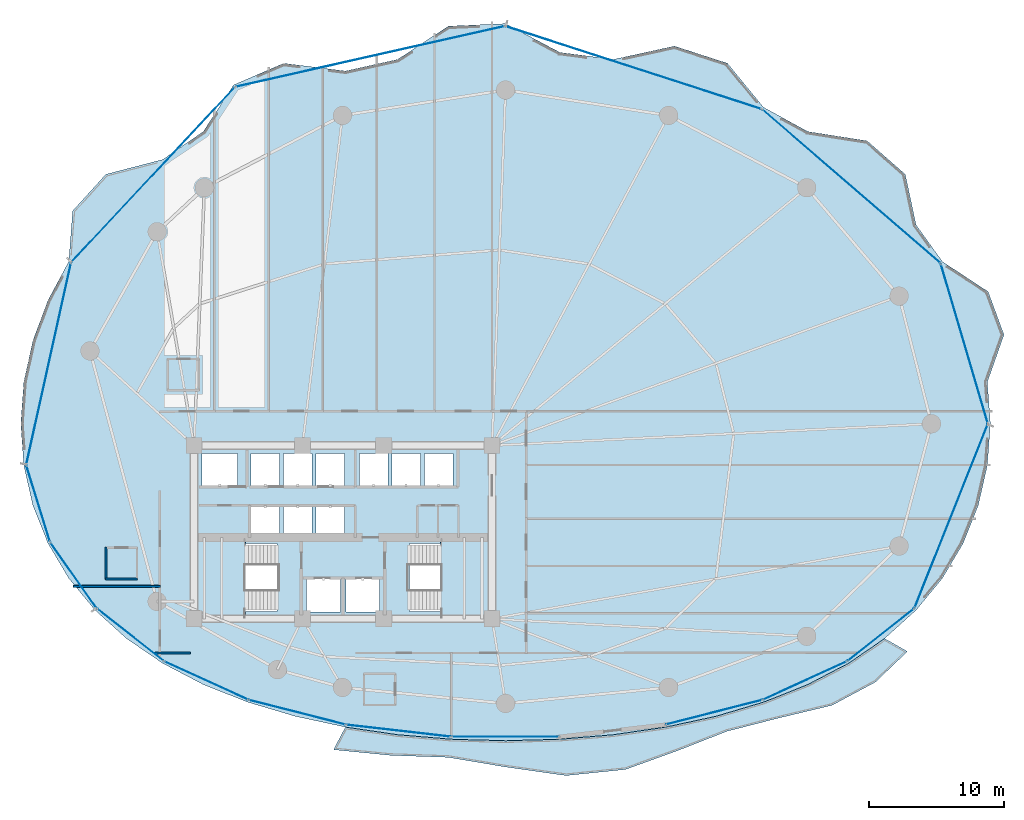
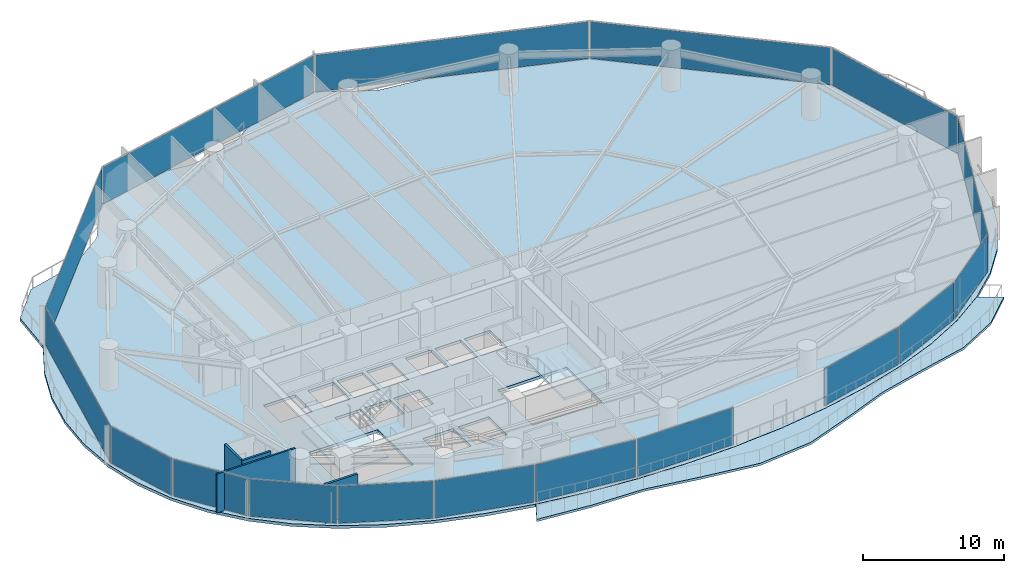
# One storey, part 25 of 33: 17 plates, 4 slabs, 4 walls, 19 elements without a shape of their own.
"""IFC4 building model written with IfcOpenShell, lengths in metres."""

from ifc_helpers import new_model, si_unit, direction, frame, frame_2d, origin, origin_2d, place, context, subcontext, project, spatial, polyline, rectangle, outline, extrude, material, layer, layer_set, type_object, element, aggregate, save


model = new_model("IFC4")

# Units and contexts
model_context = context("Model", 3, precision=1e-05, world=origin(), true_north=direction((0.0, 1.0)))
body_context = subcontext(model_context, "Body", "Model", "MODEL_VIEW")
ifc_project = project(units=[si_unit("LENGTHUNIT", "METRE"), si_unit("AREAUNIT", "SQUARE_METRE"), si_unit("VOLUMEUNIT", "CUBIC_METRE"), si_unit("PLANEANGLEUNIT", "RADIAN"), si_unit("MASSUNIT", "GRAM", prefix="KILO")], contexts=[model_context])

# Site, building, storey
site_placement = place(None, origin())
site = spatial("IfcSite", under=ifc_project, at=site_placement, CompositionType="ELEMENT")
building_placement = place(site_placement, origin())
building = spatial("IfcBuilding", under=site, at=building_placement, Name="Kazevale Care Tower and Concert Hall", CompositionType="ELEMENT")
storey_placement = place(building_placement, frame((0.0, 0.0, 31.199951171875)))
storey = spatial("IfcBuildingStorey", under=building, at=storey_placement, Name="L07", CompositionType="ELEMENT", Elevation=31.199951171875)

# Curtain wall, plate
ifc_material_1 = material(Name="Aluminium 6063-T6 and Low-E Glass", Category="aluminium")
ifc_layer_1 = layer(ifc_material_1, 0.179931640625)
ifc_layer_set_1 = layer_set([ifc_layer_1], Name="Aluminium 6063-T6 and Low-E Glass")
curtain_wall_type_1 = type_object("IfcCurtainWallType", Name="Convex Checkerboard Finned Curtain Wall CW-2", PredefinedType="NOTDEFINED", material=ifc_layer_set_1)
curtain_wall_1_placement = place(storey_placement, origin())
curtain_wall_1 = element("IfcCurtainWall", 1, at=curtain_wall_1_placement, inside=storey, type_object=curtain_wall_type_1, Name="cw:L07:f14", PredefinedType="NOTDEFINED")
ifc_material_2 = material(Name="Low-E Laminated Glass", Category="glass")
ifc_layer_2 = layer(ifc_material_2, 0.028076171875)
ifc_layer_set_2 = layer_set([ifc_layer_2], Name="Low-E Laminated Glass")
plate_type_1 = type_object("IfcPlateType", Name="CW-2 Low-E Glazing Panel 28mm", PredefinedType="CURTAIN_PANEL", material=ifc_layer_set_2)
plate_1_placement = place(storey_placement, frame((18.9794921875, 56.39990234375, 0.074951171875), z_axis=(0.0, 0.0, 1.0), x_axis=(0.683059159381, 0.730363049987, 0.0)))
plate_1 = element("IfcPlate", 2, at=plate_1_placement, type_object=plate_type_1, Name="CW-2 panel 1.1", PredefinedType="CURTAIN_PANEL", context=body_context, shape_type="SweptSolid", body=[
    extrude(rectangle(XDim=17.576416015625, YDim=0.028076171875, at=origin_2d()), origin(), (0.0, 0.0, 1.0), 3.2099609375),
])
aggregate(curtain_wall_1, [plate_1])

curtain_wall_2_placement = place(storey_placement, origin())
curtain_wall_2 = element("IfcCurtainWall", 3, at=curtain_wall_2_placement, inside=storey, type_object=curtain_wall_type_1, Name="cw:L07:f16", PredefinedType="NOTDEFINED")
plate_2_placement = place(storey_placement, frame((54.444580078125, 64.298095703125, 0.074951171875), z_axis=(0.0, 0.0, 1.0), x_axis=(0.951410385043, -0.307925769029, 0.0)))
plate_2 = element("IfcPlate", 4, at=plate_2_placement, type_object=plate_type_1, Name="CW-2 panel 1.1", PredefinedType="CURTAIN_PANEL", context=body_context, shape_type="SweptSolid", body=[
    extrude(rectangle(XDim=19.77978515625, YDim=0.028076171875, at=origin_2d()), origin(), (0.0, 0.0, 1.0), 3.2099609375),
])
aggregate(curtain_wall_2, [plate_2])

ifc_layer_3 = layer(ifc_material_1, 0.179931640625)
ifc_layer_set_3 = layer_set([ifc_layer_3], Name="Aluminium 6063-T6 and Low-E Glass")
curtain_wall_type_2 = type_object("IfcCurtainWallType", Name="Convex Recessed Sunroom Curtain Wall CW-3", PredefinedType="NOTDEFINED", material=ifc_layer_set_3)
curtain_wall_3_placement = place(storey_placement, origin())
curtain_wall_3 = element("IfcCurtainWall", 5, at=curtain_wall_3_placement, inside=storey, type_object=curtain_wall_type_2, Name="cw:L07:f15", PredefinedType="NOTDEFINED")
ifc_layer_4 = layer(ifc_material_2, 0.028076171875)
ifc_layer_set_4 = layer_set([ifc_layer_4], Name="Low-E Laminated Glass")
plate_type_2 = type_object("IfcPlateType", Name="CW-3 Low-E Glazing Panel 28mm", PredefinedType="CURTAIN_PANEL", material=ifc_layer_set_4)
plate_3_placement = place(storey_placement, frame((34.998046875, 65.12255859375, 0.074951171875), z_axis=(0.0, 0.0, 1.0), x_axis=(0.975520013596, 0.219910670667, 0.0)))
plate_3 = element("IfcPlate", 6, at=plate_3_placement, type_object=plate_type_2, Name="CW-3 panel 1.1", PredefinedType="CURTAIN_PANEL", context=body_context, shape_type="SweptSolid", body=[
    extrude(rectangle(XDim=20.27197265625, YDim=0.028076171875, at=origin_2d()), origin(), (0.0, 0.0, 1.0), 3.2099609375),
])
aggregate(curtain_wall_3, [plate_3])

curtain_wall_4_placement = place(storey_placement, origin())
curtain_wall_4 = element("IfcCurtainWall", 7, at=curtain_wall_4_placement, inside=storey, type_object=curtain_wall_type_2, Name="cw:L07:f17", PredefinedType="NOTDEFINED")
plate_4_placement = place(storey_placement, frame((70.529052734375, 55.535400390625, 0.074951171875), z_axis=(0.0, 0.0, 1.0), x_axis=(0.757199570248, -0.653183596561, 0.0)))
plate_4 = element("IfcPlate", 8, at=plate_4_placement, type_object=plate_type_2, Name="CW-3 panel 1.1", PredefinedType="CURTAIN_PANEL", context=body_context, shape_type="SweptSolid", body=[
    extrude(rectangle(XDim=17.280029296875, YDim=0.028076171875, at=origin_2d()), origin(), (0.0, 0.0, 1.0), 3.2099609375),
])
aggregate(curtain_wall_4, [plate_4])

ifc_layer_5 = layer(ifc_material_1, 0.179931640625)
ifc_layer_set_5 = layer_set([ifc_layer_5], Name="Aluminium 6063-T6 and Low-E Glass")
curtain_wall_type_3 = type_object("IfcCurtainWallType", Name="Waist & Upper Residential Curtain Wall CW-4", PredefinedType="NOTDEFINED", material=ifc_layer_set_5)
curtain_wall_5_placement = place(storey_placement, origin())
curtain_wall_5 = element("IfcCurtainWall", 9, at=curtain_wall_5_placement, inside=storey, type_object=curtain_wall_type_3, Name="cw:L07:f01", PredefinedType="NOTDEFINED")
ifc_layer_6 = layer(ifc_material_2, 0.030029296875)
ifc_layer_set_6 = layer_set([ifc_layer_6], Name="Low-E Laminated Glass")
plate_type_3 = type_object("IfcPlateType", Name="CW-4 Low-E Glazing Panel 30mm", PredefinedType="CURTAIN_PANEL", material=ifc_layer_set_6)
plate_5_placement = place(storey_placement, frame((77.90087890625, 31.181884765625, 0.080078125), z_axis=(0.0, 0.0, 1.0), x_axis=(-0.370427424456, -0.928861412274, 0.0)))
plate_5 = element("IfcPlate", 10, at=plate_5_placement, type_object=plate_type_3, Name="CW-4 panel 1.1", PredefinedType="CURTAIN_PANEL", context=body_context, shape_type="SweptSolid", body=[
    extrude(rectangle(XDim=14.520263671875, YDim=0.030029296875, at=origin_2d()), origin(), (0.0, 0.0, 1.0), 3.199951171875),
])
aggregate(curtain_wall_5, [plate_5])

curtain_wall_6_placement = place(storey_placement, origin())
curtain_wall_6 = element("IfcCurtainWall", 11, at=curtain_wall_6_placement, inside=storey, type_object=curtain_wall_type_3, Name="cw:L07:f11", PredefinedType="NOTDEFINED")
plate_6_placement = place(storey_placement, frame((13.094482421875, 26.81103515625, 0.080078125), z_axis=(0.0, 0.0, 1.0), x_axis=(-0.575836813322, 0.817564654583, 0.0)))
plate_6 = element("IfcPlate", 12, at=plate_6_placement, type_object=plate_type_3, Name="CW-4 panel 1.1", PredefinedType="CURTAIN_PANEL", context=body_context, shape_type="SweptSolid", body=[
    extrude(rectangle(XDim=5.826171875, YDim=0.030029296875, at=origin_2d()), origin(), (0.0, 0.0, 1.0), 3.199951171875),
])
aggregate(curtain_wall_6, [plate_6])

curtain_wall_7_placement = place(storey_placement, origin())
curtain_wall_7 = element("IfcCurtainWall", 13, at=curtain_wall_7_placement, inside=storey, type_object=curtain_wall_type_3, Name="cw:L07:f12", PredefinedType="NOTDEFINED")
plate_7_placement = place(storey_placement, frame((10.487548828125, 32.10791015625, 0.080078125), z_axis=(0.0, 0.0, 1.0), x_axis=(-0.296098771112, 0.955157326175, 0.0)))
plate_7 = element("IfcPlate", 14, at=plate_7_placement, type_object=plate_type_3, Name="CW-4 panel 1.1", PredefinedType="CURTAIN_PANEL", context=body_context, shape_type="SweptSolid", body=[
    extrude(rectangle(XDim=5.8076171875, YDim=0.030029296875, at=origin_2d()), origin(), (0.0, 0.0, 1.0), 3.199951171875),
])
aggregate(curtain_wall_7, [plate_7])

curtain_wall_8_placement = place(storey_placement, origin())
curtain_wall_8 = element("IfcCurtainWall", 15, at=curtain_wall_8_placement, inside=storey, type_object=curtain_wall_type_3, Name="cw:L07:f13", PredefinedType="NOTDEFINED")
plate_8_placement = place(storey_placement, frame((11.262939453125, 42.4404296875, 0.080078125), z_axis=(0.0, 0.0, 1.0), x_axis=(0.216460716862, 0.976291328475, 0.0)))
plate_8 = element("IfcPlate", 16, at=plate_8_placement, type_object=plate_type_3, Name="CW-4 panel 1.1", PredefinedType="CURTAIN_PANEL", context=body_context, shape_type="SweptSolid", body=[
    extrude(rectangle(XDim=15.16845703125, YDim=0.030029296875, at=origin_2d()), origin(), (0.0, 0.0, 1.0), 3.199951171875),
])
aggregate(curtain_wall_8, [plate_8])

curtain_wall_9_placement = place(storey_placement, origin())
curtain_wall_9 = element("IfcCurtainWall", 17, at=curtain_wall_9_placement, inside=storey, type_object=curtain_wall_type_3, Name="cw:L07:f18", PredefinedType="NOTDEFINED")
plate_9_placement = place(storey_placement, frame((78.8740234375, 43.92138671875, 0.080078125), z_axis=(0.0, 0.0, 1.0), x_axis=(0.282819600918, -0.959173119586, 0.0)))
plate_9 = element("IfcPlate", 18, at=plate_9_placement, type_object=plate_type_3, Name="CW-4 panel 1.1", PredefinedType="CURTAIN_PANEL", context=body_context, shape_type="SweptSolid", body=[
    extrude(rectangle(XDim=12.18701171875, YDim=0.030029296875, at=origin_2d()), origin(), (0.0, 0.0, 1.0), 3.199951171875),
])
aggregate(curtain_wall_9, [plate_9])

ifc_layer_7 = layer(ifc_material_1, 0.179931640625)
ifc_layer_set_7 = layer_set([ifc_layer_7], Name="Aluminium 6063-T6 and Low-E Glass")
curtain_wall_type_4 = type_object("IfcCurtainWallType", Name="Sheltered Concave Balcony Curtain Wall CW-5", PredefinedType="NOTDEFINED", material=ifc_layer_set_7)
curtain_wall_10_placement = place(storey_placement, origin())
curtain_wall_10 = element("IfcCurtainWall", 19, at=curtain_wall_10_placement, inside=storey, type_object=curtain_wall_type_4, Name="cw:L07:f02", PredefinedType="NOTDEFINED")
ifc_layer_8 = layer(ifc_material_2, 0.02587890625)
ifc_layer_set_8 = layer_set([ifc_layer_8], Name="Low-E Laminated Glass")
plate_type_4 = type_object("IfcPlateType", Name="CW-5 Low-E Glazing Panel 26mm", PredefinedType="CURTAIN_PANEL", material=ifc_layer_set_8)
plate_10_placement = place(storey_placement, frame((72.701904296875, 22.41552734375, 0.074951171875), z_axis=(0.0, 0.0, 1.0), x_axis=(-0.78632934107, -0.617807548814, 0.0)))
plate_10 = element("IfcPlate", 20, at=plate_10_placement, type_object=plate_type_4, Name="CW-5 panel 1.1", PredefinedType="CURTAIN_PANEL", context=body_context, shape_type="SweptSolid", body=[
    extrude(rectangle(XDim=6.15771484375, YDim=0.02587890625, at=origin_2d()), origin(), (0.0, 0.0, 1.0), 3.2099609375),
])
aggregate(curtain_wall_10, [plate_10])

curtain_wall_11_placement = place(storey_placement, origin())
curtain_wall_11 = element("IfcCurtainWall", 21, at=curtain_wall_11_placement, inside=storey, type_object=curtain_wall_type_4, Name="cw:L07:f03", PredefinedType="NOTDEFINED")
plate_11_placement = place(storey_placement, frame((67.10498046875, 19.04248046875, 0.074951171875), z_axis=(0.0, 0.0, 1.0), x_axis=(-0.909520179795, -0.415659767773, 0.0)))
plate_11 = element("IfcPlate", 22, at=plate_11_placement, type_object=plate_type_4, Name="CW-5 panel 1.1", PredefinedType="CURTAIN_PANEL", context=body_context, shape_type="SweptSolid", body=[
    extrude(rectangle(XDim=6.7041015625, YDim=0.02587890625, at=origin_2d()), origin(), (0.0, 0.0, 1.0), 3.2099609375),
])
aggregate(curtain_wall_11, [plate_11])

curtain_wall_12_placement = place(storey_placement, origin())
curtain_wall_12 = element("IfcCurtainWall", 23, at=curtain_wall_12_placement, inside=storey, type_object=curtain_wall_type_4, Name="cw:L07:f04", PredefinedType="NOTDEFINED")
plate_12_placement = place(storey_placement, frame((60.389892578125, 16.699951171875, 0.074951171875), z_axis=(0.0, 0.0, 1.0), x_axis=(-0.968958899798, -0.247221864936, 0.0)))
plate_12 = element("IfcPlate", 24, at=plate_12_placement, type_object=plate_type_4, Name="CW-5 panel 1.1", PredefinedType="CURTAIN_PANEL", context=body_context, shape_type="SweptSolid", body=[
    extrude(rectangle(XDim=7.276611328125, YDim=0.02587890625, at=origin_2d()), origin(), (0.0, 0.0, 1.0), 3.2099609375),
])
aggregate(curtain_wall_12, [plate_12])

curtain_wall_13_placement = place(storey_placement, origin())
curtain_wall_13 = element("IfcCurtainWall", 25, at=curtain_wall_13_placement, inside=storey, type_object=curtain_wall_type_4, Name="cw:L07:f06", PredefinedType="NOTDEFINED")
plate_13_placement = place(storey_placement, frame((45.0, 14.889892578125, 0.074951171875), z_axis=(0.0, 0.0, 1.0), x_axis=(-1.0, 0.0, 0.0)))
plate_13 = element("IfcPlate", 26, at=plate_13_placement, type_object=plate_type_4, Name="CW-5 panel 1.1", PredefinedType="CURTAIN_PANEL", context=body_context, shape_type="SweptSolid", body=[
    extrude(rectangle(XDim=7.845947265625, YDim=0.02587890625, at=origin_2d()), origin(), (0.0, 0.0, 1.0), 3.2099609375),
])
aggregate(curtain_wall_13, [plate_13])

curtain_wall_14_placement = place(storey_placement, origin())
curtain_wall_14 = element("IfcCurtainWall", 27, at=curtain_wall_14_placement, inside=storey, type_object=curtain_wall_type_4, Name="cw:L07:f07", PredefinedType="NOTDEFINED")
plate_14_placement = place(storey_placement, frame((37.10498046875, 15.3359375, 0.074951171875), z_axis=(0.0, 0.0, 1.0), x_axis=(-0.993514581883, 0.113704773808, 0.0)))
plate_14 = element("IfcPlate", 28, at=plate_14_placement, type_object=plate_type_4, Name="CW-5 panel 1.1", PredefinedType="CURTAIN_PANEL", context=body_context, shape_type="SweptSolid", body=[
    extrude(rectangle(XDim=7.69482421875, YDim=0.02587890625, at=origin_2d()), origin(), (0.0, 0.0, 1.0), 3.2099609375),
])
aggregate(curtain_wall_14, [plate_14])

curtain_wall_15_placement = place(storey_placement, origin())
curtain_wall_15 = element("IfcCurtainWall", 29, at=curtain_wall_15_placement, inside=storey, type_object=curtain_wall_type_4, Name="cw:L07:f08", PredefinedType="NOTDEFINED")
plate_15_placement = place(storey_placement, frame((29.610107421875, 16.699951171875, 0.074951171875), z_axis=(0.0, 0.0, 1.0), x_axis=(-0.968958899798, 0.247221864936, 0.0)))
plate_15 = element("IfcPlate", 30, at=plate_15_placement, type_object=plate_type_4, Name="CW-5 panel 1.1", PredefinedType="CURTAIN_PANEL", context=body_context, shape_type="SweptSolid", body=[
    extrude(rectangle(XDim=7.276611328125, YDim=0.02587890625, at=origin_2d()), origin(), (0.0, 0.0, 1.0), 3.2099609375),
])
aggregate(curtain_wall_15, [plate_15])

curtain_wall_16_placement = place(storey_placement, origin())
curtain_wall_16 = element("IfcCurtainWall", 31, at=curtain_wall_16_placement, inside=storey, type_object=curtain_wall_type_4, Name="cw:L07:f09", PredefinedType="NOTDEFINED")
plate_16_placement = place(storey_placement, frame((22.89501953125, 19.04248046875, 0.074951171875), z_axis=(0.0, 0.0, 1.0), x_axis=(-0.909520179795, 0.415659767773, 0.0)))
plate_16 = element("IfcPlate", 32, at=plate_16_placement, type_object=plate_type_4, Name="CW-5 panel 1.1", PredefinedType="CURTAIN_PANEL", context=body_context, shape_type="SweptSolid", body=[
    extrude(rectangle(XDim=6.7041015625, YDim=0.02587890625, at=origin_2d()), origin(), (0.0, 0.0, 1.0), 3.2099609375),
])
aggregate(curtain_wall_16, [plate_16])

curtain_wall_17_placement = place(storey_placement, origin())
curtain_wall_17 = element("IfcCurtainWall", 33, at=curtain_wall_17_placement, inside=storey, type_object=curtain_wall_type_4, Name="cw:L07:f10", PredefinedType="NOTDEFINED")
plate_17_placement = place(storey_placement, frame((17.298095703125, 22.41552734375, 0.074951171875), z_axis=(0.0, 0.0, 1.0), x_axis=(-0.78632934107, 0.617807548814, 0.0)))
plate_17 = element("IfcPlate", 34, at=plate_17_placement, type_object=plate_type_4, Name="CW-5 panel 1.1", PredefinedType="CURTAIN_PANEL", context=body_context, shape_type="SweptSolid", body=[
    extrude(rectangle(XDim=6.15771484375, YDim=0.02587890625, at=origin_2d()), origin(), (0.0, 0.0, 1.0), 3.2099609375),
])
aggregate(curtain_wall_17, [plate_17])

# Slab
ifc_material_3 = material(Name="Concrete C40", Category="concrete")
ifc_layer_9 = layer(ifc_material_3, 0.199951171875)
ifc_layer_set_9 = layer_set([ifc_layer_9], Name="Concrete C40")
slab_type_1 = type_object("IfcSlabType", Name="Sinusoidal Concave Balcony Slab 200", PredefinedType="USERDEFINED", material=ifc_layer_set_9)
slab_1_placement = place(storey_placement, frame((0.0, 0.0, -0.199951171875)))
element("IfcSlab", 35, at=slab_1_placement, inside=storey, type_object=slab_type_1, Name="slab:L07:bal", ObjectType="BALCONY", PredefinedType="USERDEFINED", context=body_context, shape_type="SweptSolid", body=[
    extrude(outline(polyline([(74.67236328125, 21.18994140625), (72.302001953125, 18.92333984375), (69.1015625, 17.212158203125), (65.14111328125, 16.266845703125), (61.33349609375, 15.290283203125), (57.735595703125, 13.87841796875), (53.857421875, 12.475830078125), (49.470458984375, 12.025146484375), (45.0, 12.660400390625), (40.76123046875, 13.37109375), (36.50439453125, 13.517822265625), (32.29541015625, 13.9375), (33.173583984375, 15.6005859375), (33.175048828125, 15.600341796875), (37.033203125, 15.038818359375), (40.991455078125, 14.705322265625), (45.0, 14.594970703125), (49.008544921875, 14.705322265625), (52.966796875, 15.038818359375), (56.824951171875, 15.600341796875), (60.5341796875, 16.3984375), (64.04833984375, 17.443115234375), (67.322998046875, 18.743408203125), (70.31689453125, 20.3076171875), (72.99267578125, 22.139404296875), (72.994140625, 22.140625), (74.67236328125, 21.18994140625)])), origin(), (0.0, 0.0, 1.0), 0.199951171875),
])

# Stair, slab
stair_type = type_object("IfcStairType", Name="Exit Stair Assembly ST1-Z1", PredefinedType="HALF_TURN_STAIR", material=ifc_material_3)
stair_1_placement = place(storey_placement, origin())
stair_1 = element("IfcStair", 36, at=stair_1_placement, inside=storey, type_object=stair_type, Name="stair:L07:ST1", PredefinedType="HALF_TURN_STAIR")
ifc_layer_10 = layer(ifc_material_3, 0.199951171875)
ifc_layer_set_10 = layer_set([ifc_layer_10], Name="Concrete C40")
slab_type_2 = type_object("IfcSlabType", Name="Stair Half-Landing Slab ST1-Z1", PredefinedType="LANDING", material=ifc_layer_set_10)
slab_2_placement = place(storey_placement, frame((0.0, 0.0, 1.60009765625)))
slab_2 = element("IfcSlab", 37, at=slab_2_placement, type_object=slab_type_2, Name="ST1-Z1 landing 1", PredefinedType="LANDING", context=body_context, shape_type="SweptSolid", body=[
    extrude(outline(polyline([(22.050048828125, 23.699951171875), (25.81005859375, 23.699951171875), (25.81005859375, 29.5), (22.050048828125, 29.5), (22.050048828125, 23.699951171875)])), origin(), (0.0, 0.0, 1.0), 0.199951171875),
])
aggregate(stair_1, [slab_2])

stair_2_placement = place(storey_placement, origin())
stair_2 = element("IfcStair", 38, at=stair_2_placement, inside=storey, type_object=stair_type, Name="stair:L07:ST2", PredefinedType="HALF_TURN_STAIR")
slab_3_placement = place(storey_placement, frame((0.0, 0.0, 1.60009765625)))
slab_3 = element("IfcSlab", 39, at=slab_3_placement, type_object=slab_type_2, Name="ST1-Z1 landing 1", PredefinedType="LANDING", context=body_context, shape_type="SweptSolid", body=[
    extrude(outline(polyline([(40.18994140625, 23.699951171875), (43.949951171875, 23.699951171875), (43.949951171875, 29.5), (40.18994140625, 29.5), (40.18994140625, 23.699951171875)])), origin(), (0.0, 0.0, 1.0), 0.199951171875),
])
aggregate(stair_2, [slab_3])

# Slab
ifc_layer_11 = layer(ifc_material_3, 0.239990234375)
ifc_layer_set_11 = layer_set([ifc_layer_11], Name="Concrete C40")
slab_type_3 = type_object("IfcSlabType", Name="Tower Typical Floor Slab 240", PredefinedType="FLOOR", material=ifc_layer_set_11)
slab_4_placement = place(storey_placement, frame((0.0, 0.0, -0.239990234375)))
element("IfcSlab", 40, at=slab_4_placement, inside=storey, type_object=slab_type_3, Name="slab:L07:tw:1", PredefinedType="FLOOR", context=body_context, shape_type="SweptSolid", body=[
    extrude(outline(polyline([(80.800048828125, 38.0), (80.574951171875, 41.090087890625), (81.803466796875, 44.575439453125), (80.631591796875, 47.759765625), (77.254638671875, 49.97509765625), (75.312744140625, 52.68408203125), (74.51416015625, 56.424072265625), (71.693359375, 58.89501953125), (67.32080078125, 59.57861328125), (64.046630859375, 61.36962890625), (61.379150390625, 64.62353515625), (57.468017578125, 65.891845703125), (52.96630859375, 64.907958984375), (49.00830078125, 65.426513671875), (45.0, 67.550048828125), (40.773193359375, 67.3642578125), (37.03369140625, 64.907958984375), (33.176025390625, 64.05126953125), (28.620849609375, 64.62353515625), (24.915771484375, 63.020751953125), (22.67919921875, 59.57861328125), (19.685546875, 57.51611328125), (15.48583984375, 56.424072265625), (13.0361328125, 53.721435546875), (12.745361328125, 49.97509765625), (11.208984375, 47.11572265625), (10.09765625, 44.1416015625), (9.425048828125, 41.090087890625), (9.199951171875, 38.0), (9.425048828125, 34.931640625), (10.09765625, 31.972412109375), (11.208984375, 29.178466796875), (12.745361328125, 26.591064453125), (14.687255859375, 24.239501953125), (17.010498046875, 22.143310546875), (19.685546875, 20.31201171875), (22.67919921875, 18.748046875), (25.953369140625, 17.44775390625), (29.467041015625, 16.4033203125), (33.176025390625, 15.605224609375), (37.03369140625, 15.043701171875), (40.99169921875, 14.71044921875), (45.0, 14.60009765625), (49.00830078125, 14.71044921875), (52.96630859375, 15.043701171875), (56.823974609375, 15.605224609375), (60.532958984375, 16.4033203125), (64.046630859375, 17.44775390625), (67.32080078125, 18.748046875), (70.314453125, 20.31201171875), (72.989501953125, 22.143310546875), (75.312744140625, 24.239501953125), (77.254638671875, 26.591064453125), (78.791015625, 29.178466796875), (79.90234375, 31.972412109375), (80.574951171875, 34.931640625), (80.800048828125, 38.0)]), holes=[polyline([(22.449951171875, 24.14990234375), (28.110107421875, 24.14990234375), (28.110107421875, 29.14990234375), (22.449951171875, 29.14990234375), (22.449951171875, 24.14990234375)]), polyline([(37.889892578125, 24.14990234375), (43.550048828125, 24.14990234375), (43.550048828125, 29.14990234375), (37.889892578125, 29.14990234375), (37.889892578125, 24.14990234375)]), polyline([(30.300048828125, 24.10009765625), (32.800048828125, 24.10009765625), (32.800048828125, 26.60009765625), (30.300048828125, 26.60009765625), (30.300048828125, 24.10009765625)]), polyline([(33.199951171875, 24.10009765625), (35.699951171875, 24.10009765625), (35.699951171875, 26.60009765625), (33.199951171875, 26.60009765625), (33.199951171875, 24.10009765625)]), polyline([(22.60009765625, 33.39990234375), (25.199951171875, 33.39990234375), (25.199951171875, 35.800048828125), (22.60009765625, 35.800048828125), (22.60009765625, 33.39990234375)]), polyline([(26.199951171875, 33.39990234375), (28.300048828125, 33.39990234375), (28.300048828125, 35.800048828125), (26.199951171875, 35.800048828125), (26.199951171875, 33.39990234375)]), polyline([(28.60009765625, 33.39990234375), (30.699951171875, 33.39990234375), (30.699951171875, 35.800048828125), (28.60009765625, 35.800048828125), (28.60009765625, 33.39990234375)]), polyline([(31.0, 33.39990234375), (33.10009765625, 33.39990234375), (33.10009765625, 35.800048828125), (31.0, 35.800048828125), (31.0, 33.39990234375)]), polyline([(34.199951171875, 33.39990234375), (36.300048828125, 33.39990234375), (36.300048828125, 35.800048828125), (34.199951171875, 35.800048828125), (34.199951171875, 33.39990234375)]), polyline([(36.60009765625, 33.39990234375), (38.699951171875, 33.39990234375), (38.699951171875, 35.800048828125), (36.60009765625, 35.800048828125), (36.60009765625, 33.39990234375)]), polyline([(39.0, 33.39990234375), (41.10009765625, 33.39990234375), (41.10009765625, 35.800048828125), (39.0, 35.800048828125), (39.0, 33.39990234375)]), polyline([(26.199951171875, 29.949951171875), (28.300048828125, 29.949951171875), (28.300048828125, 31.949951171875), (26.199951171875, 31.949951171875), (26.199951171875, 29.949951171875)]), polyline([(28.60009765625, 29.949951171875), (30.699951171875, 29.949951171875), (30.699951171875, 31.949951171875), (28.60009765625, 31.949951171875), (28.60009765625, 29.949951171875)]), polyline([(31.0, 29.949951171875), (33.10009765625, 29.949951171875), (33.10009765625, 31.949951171875), (31.0, 31.949951171875), (31.0, 29.949951171875)])]), origin(), (0.0, 0.0, 1.0), 0.239990234375),
])

# Walls
ifc_material_4 = material(Name="Acoustic Gypsum on Steel Stud", Category="steel")
ifc_layer_12 = layer(ifc_material_4, 0.139892578125)
ifc_layer_set_12 = layer_set([ifc_layer_12], Name="Acoustic Gypsum on Steel Stud")
wall_type_1 = type_object("IfcWallType", Name="Acoustic Care & Suite Partition 140", PredefinedType="PARTITIONING", material=ifc_layer_set_12)
wall_1_placement = place(storey_placement, frame((13.0869140625, 26.0, 0.0), z_axis=(0.0, 0.0, 1.0), x_axis=(1.0, 0.0, 0.0)))
element("IfcWall", 41, at=wall_1_placement, inside=storey, type_object=wall_type_1, Name="wall:L07:auto_031", PredefinedType="PARTITIONING", context=body_context, shape_type="SweptSolid", body=[
    extrude(rectangle(XDim=6.41796875, YDim=0.139892578125, at=frame_2d((3.208984375, 0.0))), origin(), (0.0, 0.0, 1.0), 3.360107421875),
])
ifc_material_5 = material(Name="Concrete C40 and Acoustic Gypsum", Category="concrete")
ifc_layer_13 = layer(ifc_material_5, 0.179931640625)
ifc_layer_set_13 = layer_set([ifc_layer_13], Name="Concrete C40 and Acoustic Gypsum")
wall_type_2 = type_object("IfcWallType", Name="Fire-Rated Corridor & Party Wall 180", PredefinedType="PARTITIONING", material=ifc_layer_set_13)
wall_2_placement = place(storey_placement, frame((21.739990234375, 21.074951171875, 0.0), z_axis=(0.0, 0.0, 1.0), x_axis=(-1.0, 0.0, 0.0)))
element("IfcWall", 42, at=wall_2_placement, inside=storey, type_object=wall_type_2, Name="wall:L07:auto_016", PredefinedType="PARTITIONING", context=body_context, shape_type="SweptSolid", body=[
    extrude(rectangle(XDim=2.64501953125, YDim=0.179931640625, at=frame_2d((1.322509765625, 0.0))), origin(), (0.0, 0.0, 1.0), 3.360107421875),
])
ifc_layer_14 = layer(ifc_material_4, 0.159912109375)
ifc_layer_set_14 = layer_set([ifc_layer_14], Name="Acoustic Gypsum on Steel Stud")
wall_type_3 = type_object("IfcWallType", Name="Moisture-Resistant Bathroom Plumbing Wall 160", PredefinedType="PLUMBINGWALL", material=ifc_layer_set_14)
for number, where, z_axis, x_axis, name in (
    (43, (15.447998046875, 26.550048828125, 0.0), (0.0, 0.0, 1.0), (1.0, 0.0, 0.0), "wall:L07:wb2_ens_ws"),
    (44, (15.488037109375, 26.510009765625, 0.0), (0.0, 0.0, 1.0), (0.0, 1.0, 0.0), "wall:L07:wb2_ens_ww"),
):
    element("IfcWall", number, at=place(storey_placement, frame(where, z_axis=z_axis, x_axis=x_axis)), inside=storey, type_object=wall_type_3, Name=name, PredefinedType="PLUMBINGWALL", context=body_context, shape_type="SweptSolid", body=[
        extrude(rectangle(XDim=2.3798828125, YDim=0.159912109375, at=frame_2d((1.18994140625, 0.0))), origin(), (0.0, 0.0, 1.0), 3.360107421875),
    ])

save(model, "model.ifc")
